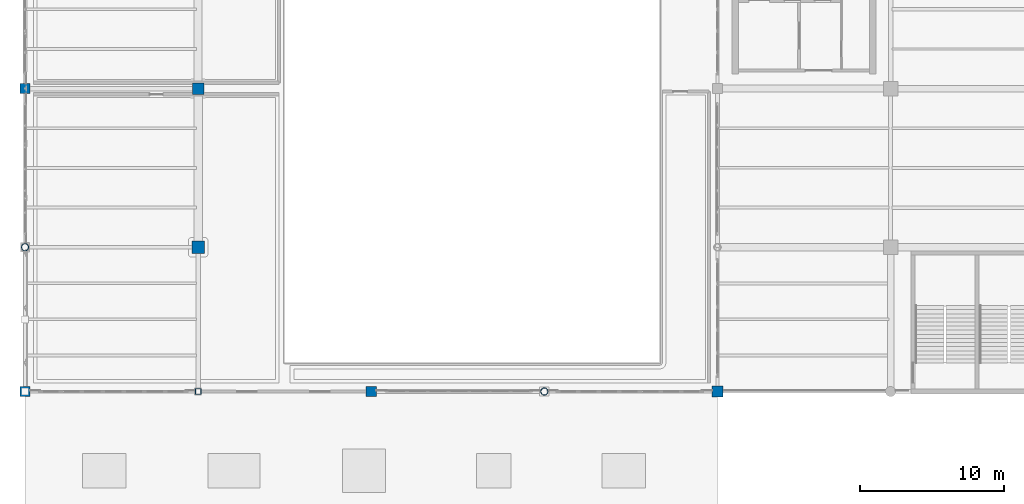
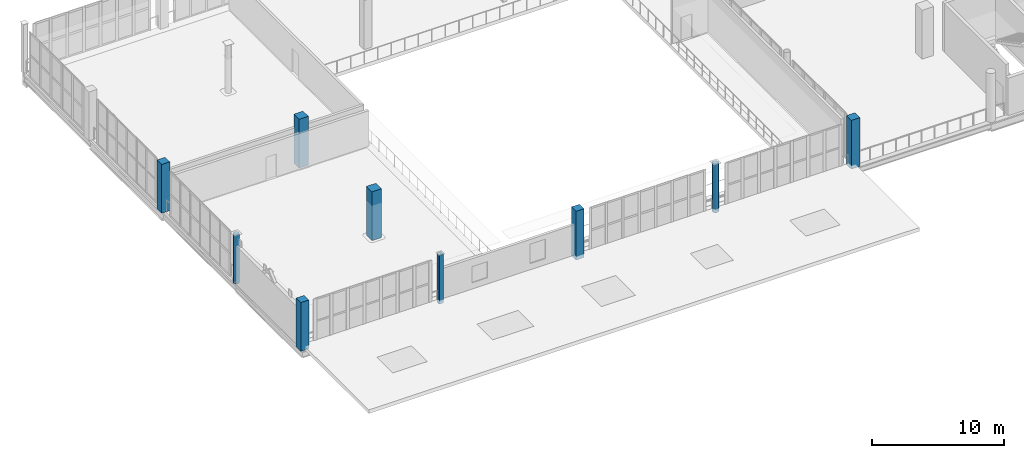
# One storey, part 1 of 108: 9 columns.
"""IFC4 building model written with IfcOpenShell, lengths in metres."""

from ifc_helpers import new_model, si_unit, direction, frame, origin, origin_2d, place, context, subcontext, project, spatial, rectangle, hollow_rectangle, hollow_circle, extrude, material, material_profile, profile_set, type_object, element, save


model = new_model("IFC4")

# Units and contexts
model_context = context("Model", 3, precision=1e-05, world=origin(), true_north=direction((0.0, 1.0)))
body_context = subcontext(model_context, "Body", "Model", "MODEL_VIEW")
ifc_project = project(units=[si_unit("LENGTHUNIT", "METRE"), si_unit("AREAUNIT", "SQUARE_METRE"), si_unit("VOLUMEUNIT", "CUBIC_METRE"), si_unit("PLANEANGLEUNIT", "RADIAN"), si_unit("MASSUNIT", "GRAM", prefix="KILO")], contexts=[model_context])

# Site, building, storey
site_placement = place(None, origin())
site = spatial("IfcSite", under=ifc_project, at=site_placement, CompositionType="ELEMENT")
building_placement = place(site_placement, origin())
building = spatial("IfcBuilding", under=site, at=building_placement, Name="Brinegate Civic Arena", CompositionType="ELEMENT")
storey_placement = place(building_placement, frame((0.0, 0.0, 10.199951171875)))
storey = spatial("IfcBuildingStorey", under=building, at=storey_placement, Name="L02", CompositionType="ELEMENT", Elevation=10.199951171875)

# Columns
ifc_material_1 = material(Name="Concrete C50/60", Category="concrete")
ifc_material_profile_1 = material_profile(ifc_material_1, rectangle(XDim=0.85009765625, YDim=0.85009765625, at=origin_2d()), Name="RC850X850")
ifc_profile_set_1 = profile_set([ifc_material_profile_1], Name="Concrete C50/60")
column_type_1 = type_object("IfcColumnType", Name="COL-CC06-850", PredefinedType="COLUMN", material=ifc_profile_set_1)
column_1_placement = place(storey_placement, frame((12.0, 20.0, 0.0), z_axis=(0.0, 0.0, 1.0), x_axis=(1.0, 0.0, 0.0)))
element("IfcColumn", 1, at=column_1_placement, inside=storey, type_object=column_type_1, Name="Column COL-L02-2-C", PredefinedType="COLUMN", context=body_context, shape_type="SweptSolid", body=[
    extrude(rectangle(XDim=0.85009765625, YDim=0.85009765625, at=origin_2d()), origin(), (0.0, 0.0, 1.0), 4.5),
])
ifc_material_profile_2 = material_profile(ifc_material_1, rectangle(XDim=0.800048828125, YDim=0.800048828125, at=origin_2d()), Name="RC800X800")
ifc_profile_set_2 = profile_set([ifc_material_profile_2], Name="Concrete C50/60")
column_type_2 = type_object("IfcColumnType", Name="COL-CC07-800", PredefinedType="COLUMN", material=ifc_profile_set_2)
column_2_placement = place(storey_placement, frame((12.0, 31.0, 0.0), z_axis=(0.0, 0.0, 1.0), x_axis=(1.0, 0.0, 0.0)))
element("IfcColumn", 2, at=column_2_placement, inside=storey, type_object=column_type_2, Name="Column COL-L02-2-D", PredefinedType="COLUMN", context=body_context, shape_type="SweptSolid", body=[
    extrude(rectangle(XDim=0.800048828125, YDim=0.800048828125, at=origin_2d()), origin(), (0.0, 0.0, 1.0), 4.5),
])
ifc_material_profile_3 = material_profile(ifc_material_1, rectangle(XDim=0.75, YDim=0.75, at=origin_2d()), Name="RC750X750")
ifc_profile_set_3 = profile_set([ifc_material_profile_3], Name="Concrete C50/60")
column_type_3 = type_object("IfcColumnType", Name="COL-CC08-750", PredefinedType="COLUMN", material=ifc_profile_set_3)
column_3_placement = place(storey_placement, frame((48.0, 10.0, 0.0), z_axis=(0.0, 0.0, 1.0), x_axis=(1.0, 0.0, 0.0)))
element("IfcColumn", 3, at=column_3_placement, inside=storey, type_object=column_type_3, Name="Column COL-L02-5-B", PredefinedType="COLUMN", context=body_context, shape_type="SweptSolid", body=[
    extrude(rectangle(XDim=0.75, YDim=0.75, at=origin_2d()), origin(), (0.0, 0.0, 1.0), 4.5),
])
ifc_material_profile_4 = material_profile(ifc_material_1, rectangle(XDim=0.699951171875, YDim=0.699951171875, at=origin_2d()), Name="RC700X700")
ifc_profile_set_4 = profile_set([ifc_material_profile_4], Name="Concrete C50/60")
column_type_4 = type_object("IfcColumnType", Name="COL-CC09-700", PredefinedType="COLUMN", material=ifc_profile_set_4)
for number, where, z_axis, x_axis, name in (
    (4, (0.0, 10.0, 0.0), (0.0, 0.0, 1.0), (1.0, 0.0, 0.0), "Column COL-L02-1-B"),
    (5, (0.0, 31.0, 0.0), (0.0, 0.0, 1.0), (1.0, 0.0, 0.0), "Column COL-L02-1-D"),
    (6, (24.0, 10.0, 0.0), (0.0, 0.0, 1.0), (1.0, 0.0, 0.0), "Column COL-L02-3-B"),
):
    element("IfcColumn", number, at=place(storey_placement, frame(where, z_axis=z_axis, x_axis=x_axis)), inside=storey, type_object=column_type_4, Name=name, PredefinedType="COLUMN", context=body_context, shape_type="SweptSolid", body=[
        extrude(rectangle(XDim=0.699951171875, YDim=0.699951171875, at=origin_2d()), origin(), (0.0, 0.0, 1.0), 4.5),
    ])
ifc_material_2 = material(Name="Steel S355", Category="steel")
ifc_material_profile_5 = material_profile(ifc_material_2, hollow_rectangle(XDim=0.39990234375, YDim=0.39990234375, WallThickness=0.02001953125, InnerFilletRadius=0.02001953125, OuterFilletRadius=0.0400390625, at=origin_2d()), Name="SHS400X20")
ifc_profile_set_5 = profile_set([ifc_material_profile_5], Name="Steel S355")
column_type_5 = type_object("IfcColumnType", Name="COL-SC03-SHS400", PredefinedType="COLUMN", material=ifc_profile_set_5)
column_4_placement = place(storey_placement, frame((12.0, 10.0, 0.0), z_axis=(0.0, 0.0, 1.0), x_axis=(1.0, 0.0, 0.0)))
element("IfcColumn", 7, at=column_4_placement, inside=storey, type_object=column_type_5, Name="Column COL-L02-2-B", PredefinedType="COLUMN", context=body_context, shape_type="SweptSolid", body=[
    extrude(hollow_rectangle(XDim=0.39990234375, YDim=0.39990234375, WallThickness=0.02001953125, InnerFilletRadius=0.02001953125, OuterFilletRadius=0.0400390625, at=origin_2d()), origin(), (0.0, 0.0, 1.0), 4.5),
])
ifc_material_profile_6 = material_profile(ifc_material_2, hollow_circle(Radius=0.25390625, WallThickness=0.02001953125, at=origin_2d()), Name="CHS508X20")
ifc_profile_set_6 = profile_set([ifc_material_profile_6], Name="Steel S355")
column_type_6 = type_object("IfcColumnType", Name="COL-SC06-CHS508", PredefinedType="COLUMN", material=ifc_profile_set_6)
for number, where, z_axis, x_axis, name in (
    (8, (0.0, 20.0, 0.0), (0.0, 0.0, 1.0), (1.0, 0.0, 0.0), "Column COL-L02-1-C"),
    (9, (36.0, 10.0, 0.0), (0.0, 0.0, 1.0), (1.0, 0.0, 0.0), "Column COL-L02-4-B"),
):
    element("IfcColumn", number, at=place(storey_placement, frame(where, z_axis=z_axis, x_axis=x_axis)), inside=storey, type_object=column_type_6, Name=name, PredefinedType="COLUMN", context=body_context, shape_type="SweptSolid", body=[
        extrude(hollow_circle(Radius=0.25390625, WallThickness=0.02001953125, at=origin_2d()), origin(), (0.0, 0.0, 1.0), 4.5),
    ])

save(model, "model.ifc")
